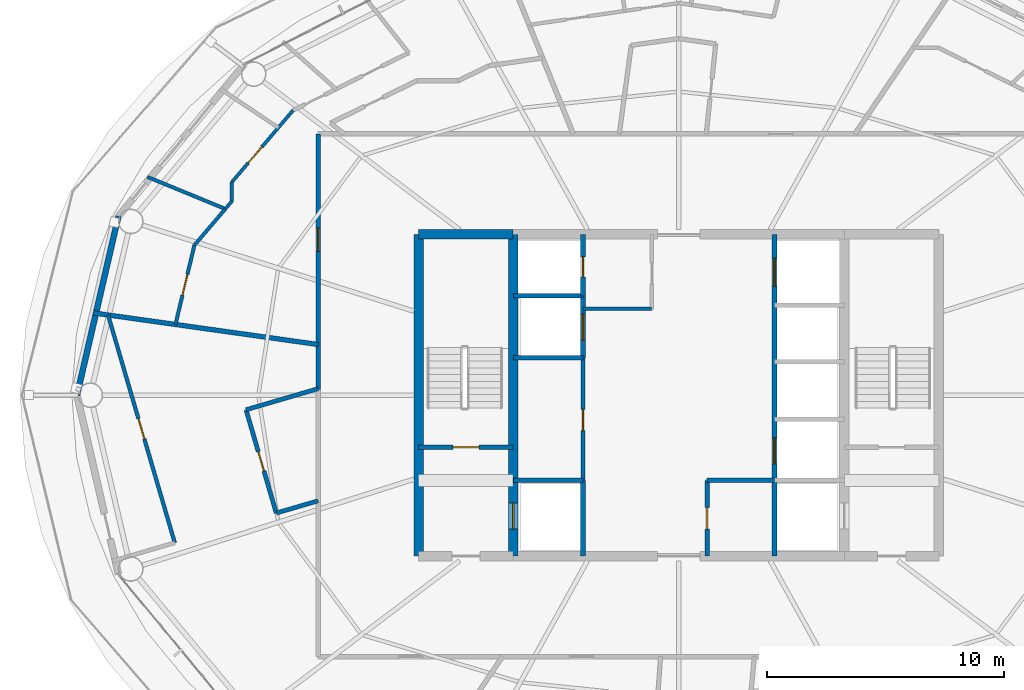
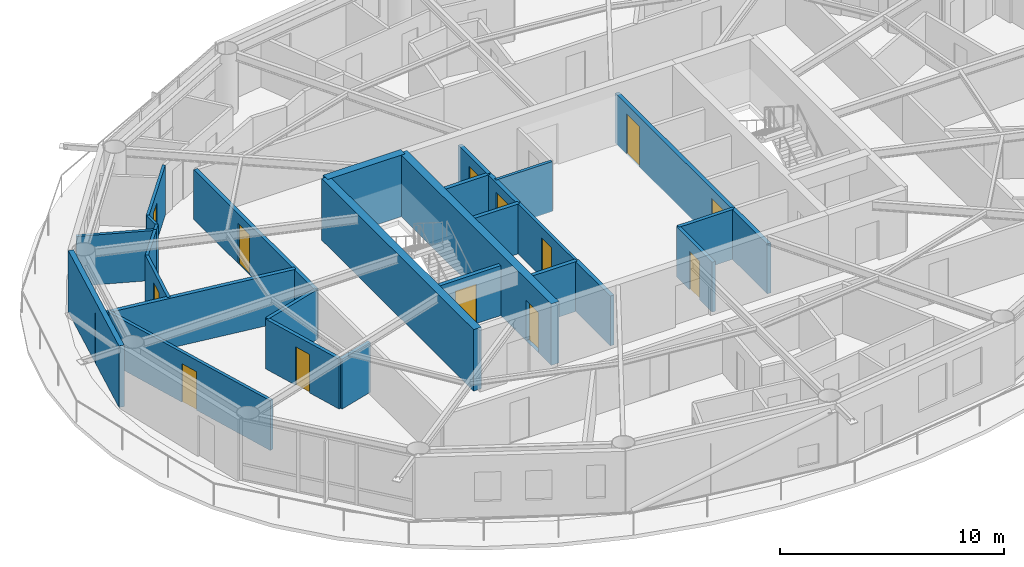
# One storey, part 16 of 23: 29 walls, 13 doors, 13 openings.
"""IFC4 building model written with IfcOpenShell, lengths in metres."""

from ifc_helpers import new_model, si_unit, direction, frame, frame_2d, origin, place, context, subcontext, project, spatial, rectangle, extrude, material, layer, layer_set, type_object, element, fill, save


model = new_model("IFC4")

# Units and contexts
model_context = context("Model", 3, precision=1e-05, world=origin(), true_north=direction((0.0, 1.0)))
body_context = subcontext(model_context, "Body", "Model", "MODEL_VIEW")
ifc_project = project(units=[si_unit("LENGTHUNIT", "METRE"), si_unit("AREAUNIT", "SQUARE_METRE"), si_unit("VOLUMEUNIT", "CUBIC_METRE"), si_unit("PLANEANGLEUNIT", "RADIAN"), si_unit("MASSUNIT", "GRAM", prefix="KILO")], contexts=[model_context])

# Site, building, storey
site_placement = place(None, origin())
site = spatial("IfcSite", under=ifc_project, at=site_placement, CompositionType="ELEMENT")
building_placement = place(site_placement, origin())
building = spatial("IfcBuilding", under=site, at=building_placement, Name="Sarneth Arch Tower", CompositionType="ELEMENT")
storey_placement = place(building_placement, frame((0.0, 0.0, 235.199951171875)))
storey = spatial("IfcBuildingStorey", under=building, at=storey_placement, Name="L60", CompositionType="ELEMENT", Elevation=235.199951171875)

# Walls
ifc_material_1 = material(Name="Concrete C50/60", Category="concrete")
ifc_layer_1 = layer(ifc_material_1, 0.39990234375)
ifc_layer_set_1 = layer_set([ifc_layer_1], Name="Concrete C50/60")
wall_type_1 = type_object("IfcWallType", Name="WALL-CORE-400", PredefinedType="SHEAR", material=ifc_layer_set_1)
wall_1_placement = place(storey_placement, frame((37.0, 48.800048828125, 0.0), z_axis=(0.0, 0.0, 1.0), x_axis=(1.0, 0.0, 0.0)))
element("IfcWall", 1, at=wall_1_placement, inside=storey, type_object=wall_type_1, Name="L60 Core shear wall N-W", PredefinedType="SHEAR", context=body_context, shape_type="SweptSolid", body=[
    extrude(rectangle(XDim=4.0, YDim=0.39990234375, at=frame_2d((2.0, 0.0))), origin(), (0.0, 0.0, 1.0), 3.360107421875),
])
wall_2_placement = place(storey_placement, frame((37.0, 35.199951171875, 0.0), z_axis=(0.0, 0.0, 1.0), x_axis=(0.0, 1.0, 0.0)))
element("IfcWall", 2, at=wall_2_placement, inside=storey, type_object=wall_type_1, Name="L60 Core shear wall W", PredefinedType="SHEAR", context=body_context, shape_type="SweptSolid", body=[
    extrude(rectangle(XDim=13.60009765625, YDim=0.39990234375, at=frame_2d((6.800048828125, 0.0))), origin(), (0.0, 0.0, 1.0), 3.360107421875),
])

# Wall, opening, door
wall_3_placement = place(storey_placement, frame((41.0, 35.199951171875, 0.0), z_axis=(0.0, 0.0, 1.0), x_axis=(0.0, 1.0, 0.0)))
wall_3 = element("IfcWall", 3, at=wall_3_placement, inside=storey, type_object=wall_type_1, Name="L60 Core shear wall WEB-W", PredefinedType="SHEAR", context=body_context, shape_type="SweptSolid", body=[
    extrude(rectangle(XDim=13.60009765625, YDim=0.39990234375, at=frame_2d((6.800048828125, 0.0))), origin(), (0.0, 0.0, 1.0), 3.360107421875),
])
opening_1_placement = place(wall_3_placement, frame((1.14990234375, 0.0, 0.0)))
opening_1 = element("IfcOpeningElement", 4, at=opening_1_placement, cuts=wall_3, Name="Opening LD-1", PredefinedType="OPENING", context=body_context, shape_type="SweptSolid", body=[
    extrude(rectangle(XDim=1.10009765625, YDim=2.199951171875, at=frame_2d((0.550048828125, 1.10009765625))), frame((0.0, 0.2099609375, 0.0), z_axis=(0.0, -1.0, 0.0), x_axis=(1.0, 0.0, 0.0)), (0.0, 0.0, 1.0), 0.419921875),
])
ifc_material_2 = material(Name="Brushed Stainless Steel 304 lift landing door", Category="steel")
door_type_1 = type_object("IfcDoorType", Name="DR-LIFT-SLIDE-1100", OperationType="SLIDING_TO_LEFT", PredefinedType="DOOR", material=ifc_material_2)
door_1_placement = place(opening_1_placement, origin())
door_1 = element("IfcDoor", 5, at=door_1_placement, inside=storey, type_object=door_type_1, Name="L60 Firefighting lift landing door FL-1", OperationType="SLIDING_TO_LEFT", OverallHeight=2.199951171875, OverallWidth=1.10009765625, PredefinedType="DOOR", context=body_context, shape_type="SweptSolid", body=[
    extrude(rectangle(XDim=1.10009765625, YDim=2.199951171875, at=frame_2d((0.550048828125, 1.10009765625))), frame((0.0, 0.02490234375, 0.0), z_axis=(0.0, -1.0, 0.0), x_axis=(1.0, 0.0, 0.0)), (0.0, 0.0, 1.0), 0.050048828125),
])
fill(opening_1, door_1)

ifc_material_3 = material(Name="Double steel-stud corridor fire wall", Category="steel")
ifc_layer_2 = layer(ifc_material_3, 0.18994140625)
ifc_layer_set_2 = layer_set([ifc_layer_2], Name="Double steel-stud corridor fire wall")
wall_type_2 = type_object("IfcWallType", Name="WALL-CORR-190", PredefinedType="PARTITIONING", material=ifc_layer_set_2)
wall_4_placement = place(storey_placement, frame((32.75, 42.242919921875, 0.0), z_axis=(0.0, 0.0, 1.0), x_axis=(0.0, 1.0, 0.0)))
wall_4 = element("IfcWall", 6, at=wall_4_placement, inside=storey, type_object=wall_type_2, Name="L60 Interior partition W-L60-TP-007", PredefinedType="PARTITIONING", context=body_context, shape_type="SweptSolid", body=[
    extrude(rectangle(XDim=10.80712890625, YDim=0.18994140625, at=frame_2d((5.403564453125, 0.0))), origin(), (0.0, 0.0, 1.0), 2.719970703125),
])
opening_2_placement = place(wall_4_placement, frame((5.83740234375, 0.0, 0.0)))
opening_2 = element("IfcOpeningElement", 7, at=opening_2_placement, cuts=wall_4, Name="Opening FD-08", PredefinedType="OPENING", context=body_context, shape_type="SweptSolid", body=[
    extrude(rectangle(XDim=1.0, YDim=2.199951171875, at=frame_2d((0.5, 1.10009765625))), frame((0.0, 0.10498046875, 0.0), z_axis=(0.0, -1.0, 0.0), x_axis=(1.0, 0.0, 0.0)), (0.0, 0.0, 1.0), 0.2099609375),
])
ifc_material_4 = material(Name="Hardwood timber acoustic fire door", Category="wood")
door_type_2 = type_object("IfcDoorType", Name="DR-FD60-1000", OperationType="SINGLE_SWING_LEFT", PredefinedType="DOOR", material=ifc_material_4)
door_2_placement = place(opening_2_placement, origin())
door_2 = element("IfcDoor", 8, at=door_2_placement, inside=storey, type_object=door_type_2, Name="L60 Interior door DR-L60-U3-ENT", OperationType="SINGLE_SWING_LEFT", OverallHeight=2.199951171875, OverallWidth=1.0, PredefinedType="DOOR", context=body_context, shape_type="SweptSolid", body=[
    extrude(rectangle(XDim=1.0, YDim=2.199951171875, at=frame_2d((0.5, 1.10009765625))), frame((0.0, 0.02490234375, 0.0), z_axis=(0.0, -1.0, 0.0), x_axis=(1.0, 0.0, 0.0)), (0.0, 0.0, 1.0), 0.050048828125),
])
fill(opening_2, door_2)

# Wall
ifc_material_5 = material(Name="Extruded terracotta rainscreen on Concrete C40/50 backing", Category="masonry")
ifc_layer_3 = layer(ifc_material_5, 0.25)
ifc_layer_set_3 = layer_set([ifc_layer_3], Name="Extruded terracotta rainscreen on Concrete C40/50 backing")
wall_type_3 = type_object("IfcWallType", Name="WALL-EXT-SPAND-250", PredefinedType="SOLIDWALL", material=ifc_layer_set_3)
wall_5_placement = place(storey_placement, frame((24.30615234375, 49.569580078125, 0.0), z_axis=(0.0, 0.0, 1.0), x_axis=(-0.225635078214, -0.974211892495, 0.0)))
element("IfcWall", 9, at=wall_5_placement, inside=storey, type_object=wall_type_3, Name="L60 Terracotta perimeter wall 08", PredefinedType="SOLIDWALL", context=body_context, shape_type="SweptSolid", body=[
    extrude(rectangle(XDim=7.77001953125, YDim=0.25, at=frame_2d((3.885009765625, 0.0))), origin(), (0.0, 0.0, 1.0), 3.360107421875),
])

# Wall, opening, door
ifc_material_6 = material(Name="Apartment internal stud partition", Category="gypsum")
ifc_layer_4 = layer(ifc_material_6, 0.139892578125)
ifc_layer_set_4 = layer_set([ifc_layer_4], Name="Apartment internal stud partition")
wall_type_4 = type_object("IfcWallType", Name="WALL-PART-140", PredefinedType="PARTITIONING", material=ifc_layer_set_4)
wall_6_placement = place(storey_placement, frame((31.68896484375, 54.0419921875, 0.0), z_axis=(0.0, 0.0, 1.0), x_axis=(-0.648985159088, -0.760801066826, 0.0)))
wall_6 = element("IfcWall", 10, at=wall_6_placement, inside=storey, type_object=wall_type_4, Name="L60 Interior partition W-L60-TP-063", PredefinedType="PARTITIONING", context=body_context, shape_type="SweptSolid", body=[
    extrude(rectangle(XDim=3.989013671875, YDim=0.139892578125, at=frame_2d((1.99462890625, 0.0))), origin(), (0.0, 0.0, 1.0), 2.719970703125),
])
opening_3_placement = place(wall_6_placement, frame((2.023193359375, 0.0, 0.0)))
opening_3 = element("IfcOpeningElement", 11, at=opening_3_placement, cuts=wall_6, Name="Opening ID-01", PredefinedType="OPENING", context=body_context, shape_type="SweptSolid", body=[
    extrude(rectangle(XDim=0.89990234375, YDim=2.10009765625, at=frame_2d((0.449951171875, 1.050048828125))), frame((0.0, 0.079833984375, 0.0), z_axis=(0.0, -1.0, 0.0), x_axis=(1.0, 0.0, 0.0)), (0.0, 0.0, 1.0), 0.159912109375),
])
ifc_material_7 = material(Name="Engineered hardwood flush door", Category="wood")
door_type_3 = type_object("IfcDoorType", Name="DR-INT-900", OperationType="SINGLE_SWING_LEFT", PredefinedType="DOOR", material=ifc_material_7)
door_3_placement = place(opening_3_placement, origin())
door_3 = element("IfcDoor", 12, at=door_3_placement, inside=storey, type_object=door_type_3, Name="L60 Interior door DR-L60-U3-BED1", OperationType="SINGLE_SWING_LEFT", OverallHeight=2.10009765625, OverallWidth=0.89990234375, PredefinedType="DOOR", context=body_context, shape_type="SweptSolid", body=[
    extrude(rectangle(XDim=0.89990234375, YDim=2.10009765625, at=frame_2d((0.449951171875, 1.050048828125))), frame((0.0, 0.02490234375, 0.0), z_axis=(0.0, -1.0, 0.0), x_axis=(1.0, 0.0, 0.0)), (0.0, 0.0, 1.0), 0.050048828125),
])
fill(opening_3, door_3)

# Walls
wall_7_placement = place(storey_placement, frame((29.10009765625, 51.007080078125, 0.0), z_axis=(0.0, 0.0, 1.0), x_axis=(0.0, -1.0, 0.0)))
element("IfcWall", 13, at=wall_7_placement, inside=storey, type_object=wall_type_4, Name="L60 Interior partition W-L60-TP-064", PredefinedType="PARTITIONING", context=body_context, shape_type="SweptSolid", body=[
    extrude(rectangle(XDim=0.81005859375, YDim=0.139892578125, at=frame_2d((0.405029296875, 0.0))), origin(), (0.0, 0.0, 1.0), 2.719970703125),
])
wall_8_placement = place(storey_placement, frame((29.10009765625, 50.197021484375, 0.0), z_axis=(0.0, 0.0, 1.0), x_axis=(-0.649360360175, -0.760480849617, 0.0)))
element("IfcWall", 14, at=wall_8_placement, inside=storey, type_object=wall_type_4, Name="L60 Interior partition W-L60-TP-065", PredefinedType="PARTITIONING", context=body_context, shape_type="SweptSolid", body=[
    extrude(rectangle(XDim=0.421875, YDim=0.139892578125, at=frame_2d((0.2109375, 0.0))), origin(), (0.0, 0.0, 1.0), 2.719970703125),
])

# Wall, opening, door
ifc_material_8 = material(Name="Acoustic gypsum stud partition", Category="gypsum")
ifc_layer_5 = layer(ifc_material_8, 0.14990234375)
ifc_layer_set_5 = layer_set([ifc_layer_5], Name="Acoustic gypsum stud partition")
wall_type_5 = type_object("IfcWallType", Name="WALL-PART-150", PredefinedType="PARTITIONING", material=ifc_layer_set_5)
wall_9_placement = place(storey_placement, frame((43.949951171875, 38.39990234375, 0.0), z_axis=(0.0, 0.0, 1.0), x_axis=(0.0, 1.0, 0.0)))
wall_9 = element("IfcWall", 15, at=wall_9_placement, inside=storey, type_object=wall_type_5, Name="L60 Interior partition W-L60-RECPL-E", PredefinedType="PARTITIONING", context=body_context, shape_type="SweptSolid", body=[
    extrude(rectangle(XDim=5.18017578125, YDim=0.14990234375, at=frame_2d((2.590087890625, 0.0))), origin(), (0.0, 0.0, 1.0), 2.719970703125),
])
opening_4_placement = place(wall_9_placement, frame((2.10009765625, 0.0, 0.0)))
opening_4 = element("IfcOpeningElement", 16, at=opening_4_placement, cuts=wall_9, Name="Opening FD-10", PredefinedType="OPENING", context=body_context, shape_type="SweptSolid", body=[
    extrude(rectangle(XDim=0.89990234375, YDim=2.14990234375, at=frame_2d((0.449951171875, 1.074951171875))), frame((0.0, 0.0849609375, 0.0), z_axis=(0.0, -1.0, 0.0), x_axis=(1.0, 0.0, 0.0)), (0.0, 0.0, 1.0), 0.169921875),
])
ifc_material_9 = material(Name="Galvanised Steel S275 riser/service fire door", Category="steel")
door_type_4 = type_object("IfcDoorType", Name="DR-FD60-900", OperationType="SINGLE_SWING_LEFT", PredefinedType="DOOR", material=ifc_material_9)
door_4_placement = place(opening_4_placement, origin())
door_4 = element("IfcDoor", 17, at=door_4_placement, inside=storey, type_object=door_type_4, Name="L60 Interior door DR-L60-RECPL1", OperationType="SINGLE_SWING_LEFT", OverallHeight=2.14990234375, OverallWidth=0.89990234375, PredefinedType="DOOR", context=body_context, shape_type="SweptSolid", body=[
    extrude(rectangle(XDim=0.89990234375, YDim=2.14990234375, at=frame_2d((0.449951171875, 1.074951171875))), frame((0.0, 0.02490234375, 0.0), z_axis=(0.0, -1.0, 0.0), x_axis=(1.0, 0.0, 0.0)), (0.0, 0.0, 1.0), 0.050048828125),
])
fill(opening_4, door_4)

# Walls
wall_10_placement = place(storey_placement, frame((43.949951171875, 45.64990234375, 0.0), z_axis=(0.0, 0.0, 1.0), x_axis=(1.0, 0.0, 0.0)))
element("IfcWall", 18, at=wall_10_placement, inside=storey, type_object=wall_type_5, Name="L60 Interior partition W-L60-CSUP1-S", PredefinedType="PARTITIONING", context=body_context, shape_type="SweptSolid", body=[
    extrude(rectangle(XDim=2.900146484375, YDim=0.14990234375, at=frame_2d((1.4501953125, 0.0))), origin(), (0.0, 0.0, 1.0), 2.719970703125),
])
wall_11_placement = place(storey_placement, frame((25.531494140625, 51.2294921875, 0.0), z_axis=(0.0, 0.0, 1.0), x_axis=(0.925009924445, -0.37994294266, 0.0)))
element("IfcWall", 19, at=wall_11_placement, inside=storey, type_object=wall_type_5, Name="L60 Interior partition W-L60-TP-071", PredefinedType="PARTITIONING", context=body_context, shape_type="SweptSolid", body=[
    extrude(rectangle(XDim=3.561767578125, YDim=0.14990234375, at=frame_2d((1.78076171875, 0.0))), origin(), (0.0, 0.0, 1.0), 2.719970703125),
])

# Wall, opening, door
wall_12_placement = place(storey_placement, frame((27.51904296875, 48.344970703125, 0.0), z_axis=(0.0, 0.0, 1.0), x_axis=(-0.232293676314, -0.97264569497, 0.0)))
wall_12 = element("IfcWall", 20, at=wall_12_placement, inside=storey, type_object=wall_type_5, Name="L60 Interior partition W-L60-TP-067", PredefinedType="PARTITIONING", context=body_context, shape_type="SweptSolid", body=[
    extrude(rectangle(XDim=3.4482421875, YDim=0.14990234375, at=frame_2d((1.72412109375, 0.0))), origin(), (0.0, 0.0, 1.0), 2.719970703125),
])
opening_5_placement = place(wall_12_placement, frame((1.274169921875, 0.0, 0.0)))
opening_5 = element("IfcOpeningElement", 21, at=opening_5_placement, cuts=wall_12, Name="Opening ID-01", PredefinedType="OPENING", context=body_context, shape_type="SweptSolid", body=[
    extrude(rectangle(XDim=0.89990234375, YDim=2.10009765625, at=frame_2d((0.449951171875, 1.050048828125))), frame((0.0, 0.0849609375, 0.0), z_axis=(0.0, -1.0, 0.0), x_axis=(1.0, 0.0, 0.0)), (0.0, 0.0, 1.0), 0.169921875),
])
door_5_placement = place(opening_5_placement, origin())
door_5 = element("IfcDoor", 22, at=door_5_placement, inside=storey, type_object=door_type_3, Name="L60 Interior door DR-L60-U3-BED2", OperationType="SINGLE_SWING_RIGHT", OverallHeight=2.10009765625, OverallWidth=0.89990234375, PredefinedType="DOOR", context=body_context, shape_type="SweptSolid", body=[
    extrude(rectangle(XDim=0.89990234375, YDim=2.10009765625, at=frame_2d((0.449951171875, 1.050048828125))), frame((0.0, 0.02490234375, 0.0), z_axis=(0.0, -1.0, 0.0), x_axis=(1.0, 0.0, 0.0)), (0.0, 0.0, 1.0), 0.050048828125),
])
fill(opening_5, door_5)

# Wall
wall_13_placement = place(storey_placement, frame((28.826171875, 49.876220703125, 0.0), z_axis=(0.0, 0.0, 1.0), x_axis=(-0.649252114502, -0.760573265251, 0.0)))
element("IfcWall", 23, at=wall_13_placement, inside=storey, type_object=wall_type_5, Name="L60 Interior partition W-L60-TP-066", PredefinedType="PARTITIONING", context=body_context, shape_type="SweptSolid", body=[
    extrude(rectangle(XDim=2.01318359375, YDim=0.14990234375, at=frame_2d((1.006591796875, 0.0))), origin(), (0.0, 0.0, 1.0), 2.719970703125),
])

# Wall, opening, door
ifc_material_10 = material(Name="Kitchen wet service chase wall", Category="gypsum")
ifc_layer_6 = layer(ifc_material_10, 0.159912109375)
ifc_layer_set_6 = layer_set([ifc_layer_6], Name="Kitchen wet service chase wall")
wall_type_6 = type_object("IfcWallType", Name="WALL-PLUMB-160", PredefinedType="PLUMBINGWALL", material=ifc_layer_set_6)
wall_14_placement = place(storey_placement, frame((23.867919921875, 45.3916015625, 0.0), z_axis=(0.0, 0.0, 1.0), x_axis=(0.281018983641, -0.959702209455, 0.0)))
wall_14 = element("IfcWall", 24, at=wall_14_placement, inside=storey, type_object=wall_type_6, Name="L60 Interior partition W-L60-TP-077", PredefinedType="PLUMBINGWALL", context=body_context, shape_type="SweptSolid", body=[
    extrude(rectangle(XDim=10.0361328125, YDim=0.159912109375, at=frame_2d((5.01806640625, 0.0))), origin(), (0.0, 0.0, 1.0), 2.719970703125),
])
opening_6_placement = place(wall_14_placement, frame((4.568115234375, 0.0, 0.0)))
opening_6 = element("IfcOpeningElement", 25, at=opening_6_placement, cuts=wall_14, Name="Opening ID-01", PredefinedType="OPENING", context=body_context, shape_type="SweptSolid", body=[
    extrude(rectangle(XDim=0.89990234375, YDim=2.10009765625, at=frame_2d((0.449951171875, 1.050048828125))), frame((0.0, 0.08984375, 0.0), z_axis=(0.0, -1.0, 0.0), x_axis=(1.0, 0.0, 0.0)), (0.0, 0.0, 1.0), 0.179931640625),
])
door_6_placement = place(opening_6_placement, origin())
door_6 = element("IfcDoor", 26, at=door_6_placement, inside=storey, type_object=door_type_3, Name="L60 Interior door DR-L60-U4-KIT", OperationType="SINGLE_SWING_LEFT", OverallHeight=2.10009765625, OverallWidth=0.89990234375, PredefinedType="DOOR", context=body_context, shape_type="SweptSolid", body=[
    extrude(rectangle(XDim=0.89990234375, YDim=2.10009765625, at=frame_2d((0.449951171875, 1.050048828125))), frame((0.0, 0.02490234375, 0.0), z_axis=(0.0, -1.0, 0.0), x_axis=(1.0, 0.0, 0.0)), (0.0, 0.0, 1.0), 0.050048828125),
])
fill(opening_6, door_6)

# Wall
ifc_material_11 = material(Name="Moisture-resistant plumbing chase wall", Category="gypsum")
ifc_layer_7 = layer(ifc_material_11, 0.179931640625)
ifc_layer_set_7 = layer_set([ifc_layer_7], Name="Moisture-resistant plumbing chase wall")
wall_type_7 = type_object("IfcWallType", Name="WALL-PLUMB-180", PredefinedType="PLUMBINGWALL", material=ifc_layer_set_7)
wall_15_placement = place(storey_placement, frame((49.199951171875, 38.39990234375, 0.0), z_axis=(0.0, 0.0, 1.0), x_axis=(1.0, 0.0, 0.0)))
element("IfcWall", 27, at=wall_15_placement, inside=storey, type_object=wall_type_7, Name="L60 Interior partition W-L60-AWC-N", PredefinedType="PLUMBINGWALL", context=body_context, shape_type="SweptSolid", body=[
    extrude(rectangle(XDim=2.85009765625, YDim=0.179931640625, at=frame_2d((1.425048828125, 0.0))), origin(), (0.0, 0.0, 1.0), 2.719970703125),
])

# Wall, opening, door
wall_16_placement = place(storey_placement, frame((49.199951171875, 35.199951171875, 0.0), z_axis=(0.0, 0.0, 1.0), x_axis=(0.0, 1.0, 0.0)))
wall_16 = element("IfcWall", 28, at=wall_16_placement, inside=storey, type_object=wall_type_7, Name="L60 Interior partition W-L60-AWC-W", PredefinedType="PLUMBINGWALL", context=body_context, shape_type="SweptSolid", body=[
    extrude(rectangle(XDim=3.199951171875, YDim=0.179931640625, at=frame_2d((1.60009765625, 0.0))), origin(), (0.0, 0.0, 1.0), 2.719970703125),
])
opening_7_placement = place(wall_16_placement, frame((1.14990234375, 0.0, 0.0)))
opening_7 = element("IfcOpeningElement", 29, at=opening_7_placement, cuts=wall_16, Name="Opening ID-01", PredefinedType="OPENING", context=body_context, shape_type="SweptSolid", body=[
    extrude(rectangle(XDim=0.89990234375, YDim=2.10009765625, at=frame_2d((0.449951171875, 1.050048828125))), frame((0.0, 0.099853515625, 0.0), z_axis=(0.0, -1.0, 0.0), x_axis=(1.0, 0.0, 0.0)), (0.0, 0.0, 1.0), 0.199951171875),
])
door_7_placement = place(opening_7_placement, origin())
door_7 = element("IfcDoor", 30, at=door_7_placement, inside=storey, type_object=door_type_3, Name="L60 Interior door DR-L60-AWC", OperationType="SINGLE_SWING_RIGHT", OverallHeight=2.10009765625, OverallWidth=0.89990234375, PredefinedType="DOOR", context=body_context, shape_type="SweptSolid", body=[
    extrude(rectangle(XDim=0.89990234375, YDim=2.10009765625, at=frame_2d((0.449951171875, 1.050048828125))), frame((0.0, 0.02490234375, 0.0), z_axis=(0.0, -1.0, 0.0), x_axis=(1.0, 0.0, 0.0)), (0.0, 0.0, 1.0), 0.050048828125),
])
fill(opening_7, door_7)

wall_17_placement = place(storey_placement, frame((30.98046875, 37.0166015625, 0.0), z_axis=(0.0, 0.0, 1.0), x_axis=(-0.281021691617, 0.959701416504, 0.0)))
wall_17 = element("IfcWall", 31, at=wall_17_placement, inside=storey, type_object=wall_type_7, Name="L60 Interior partition W-L60-TP-075", PredefinedType="PLUMBINGWALL", context=body_context, shape_type="SweptSolid", body=[
    extrude(rectangle(XDim=4.550537109375, YDim=0.179931640625, at=frame_2d((2.275390625, 0.0))), origin(), (0.0, 0.0, 1.0), 2.719970703125),
])
opening_8_placement = place(wall_17_placement, frame((1.85009765625, 0.0, 0.0)))
opening_8 = element("IfcOpeningElement", 32, at=opening_8_placement, cuts=wall_17, Name="Opening ID-02", PredefinedType="OPENING", context=body_context, shape_type="SweptSolid", body=[
    extrude(rectangle(XDim=0.85009765625, YDim=2.10009765625, at=frame_2d((0.425048828125, 1.050048828125))), frame((0.0, 0.099853515625, 0.0), z_axis=(0.0, -1.0, 0.0), x_axis=(1.0, 0.0, 0.0)), (0.0, 0.0, 1.0), 0.199951171875),
])
ifc_material_12 = material(Name="Moisture-resistant bathroom timber door", Category="wood")
door_type_5 = type_object("IfcDoorType", Name="DR-INT-850", OperationType="SINGLE_SWING_RIGHT", PredefinedType="DOOR", material=ifc_material_12)
door_8_placement = place(opening_8_placement, origin())
door_8 = element("IfcDoor", 33, at=door_8_placement, inside=storey, type_object=door_type_5, Name="L60 Interior door DR-L60-U4-BATH", OperationType="SINGLE_SWING_RIGHT", OverallHeight=2.10009765625, OverallWidth=0.85009765625, PredefinedType="DOOR", context=body_context, shape_type="SweptSolid", body=[
    extrude(rectangle(XDim=0.85009765625, YDim=2.10009765625, at=frame_2d((0.425048828125, 1.050048828125))), frame((0.0, 0.02490234375, 0.0), z_axis=(0.0, -1.0, 0.0), x_axis=(1.0, 0.0, 0.0)), (0.0, 0.0, 1.0), 0.050048828125),
])
fill(opening_8, door_8)

# Walls
wall_18_placement = place(storey_placement, frame((29.70166015625, 41.3837890625, 0.0), z_axis=(0.0, 0.0, 1.0), x_axis=(0.959705055225, 0.281009264929, 0.0)))
element("IfcWall", 34, at=wall_18_placement, inside=storey, type_object=wall_type_7, Name="L60 Interior partition W-L60-TP-076", PredefinedType="PLUMBINGWALL", context=body_context, shape_type="SweptSolid", body=[
    extrude(rectangle(XDim=3.17626953125, YDim=0.179931640625, at=frame_2d((1.588134765625, 0.0))), origin(), (0.0, 0.0, 1.0), 2.719970703125),
])
wall_19_placement = place(storey_placement, frame((32.75, 37.534912109375, 0.0), z_axis=(0.0, 0.0, 1.0), x_axis=(-0.959679055102, -0.281098045527, 0.0)))
element("IfcWall", 35, at=wall_19_placement, inside=storey, type_object=wall_type_7, Name="L60 Interior partition W-L60-TP-074", PredefinedType="PLUMBINGWALL", context=body_context, shape_type="SweptSolid", body=[
    extrude(rectangle(XDim=1.843994140625, YDim=0.179931640625, at=frame_2d((0.921875, 0.0))), origin(), (0.0, 0.0, 1.0), 2.719970703125),
])

# Wall, opening, door
ifc_material_13 = material(Name="Aerated concrete blockwork C25/30", Category="masonry")
ifc_layer_8 = layer(ifc_material_13, 0.199951171875)
ifc_layer_set_8 = layer_set([ifc_layer_8], Name="Aerated concrete blockwork C25/30")
wall_type_8 = type_object("IfcWallType", Name="WALL-SHAFT-200", PredefinedType="SOLIDWALL", material=ifc_layer_set_8)
wall_20_placement = place(storey_placement, frame((37.0, 39.800048828125, 0.0), z_axis=(0.0, 0.0, 1.0), x_axis=(1.0, 0.0, 0.0)))
wall_20 = element("IfcWall", 36, at=wall_20_placement, inside=storey, type_object=wall_type_8, Name="L60 Interior partition W-L60-ST1-S", PredefinedType="SOLIDWALL", context=body_context, shape_type="SweptSolid", body=[
    extrude(rectangle(XDim=4.0, YDim=0.199951171875, at=frame_2d((2.0, 0.0))), origin(), (0.0, 0.0, 1.0), 2.719970703125),
])
opening_9_placement = place(wall_20_placement, frame((1.449951171875, 0.0, 0.0)))
opening_9 = element("IfcOpeningElement", 37, at=opening_9_placement, cuts=wall_20, Name="Opening FD-03", PredefinedType="OPENING", context=body_context, shape_type="SweptSolid", body=[
    extrude(rectangle(XDim=1.10009765625, YDim=2.14990234375, at=frame_2d((0.550048828125, 1.074951171875))), frame((0.0, 0.10986328125, 0.0), z_axis=(0.0, -1.0, 0.0), x_axis=(1.0, 0.0, 0.0)), (0.0, 0.0, 1.0), 0.219970703125),
])
ifc_material_14 = material(Name="Galvanised Steel S275 fire door set", Category="steel")
door_type_6 = type_object("IfcDoorType", Name="DR-FD90-1100", OperationType="SINGLE_SWING_LEFT", PredefinedType="DOOR", material=ifc_material_14)
door_9_placement = place(opening_9_placement, origin())
door_9 = element("IfcDoor", 38, at=door_9_placement, inside=storey, type_object=door_type_6, Name="L60 Interior door DR-L60-ST1", OperationType="SINGLE_SWING_LEFT", OverallHeight=2.14990234375, OverallWidth=1.10009765625, PredefinedType="DOOR", context=body_context, shape_type="SweptSolid", body=[
    extrude(rectangle(XDim=1.10009765625, YDim=2.14990234375, at=frame_2d((0.550048828125, 1.074951171875))), frame((0.0, 0.02490234375, 0.0), z_axis=(0.0, -1.0, 0.0), x_axis=(1.0, 0.0, 0.0)), (0.0, 0.0, 1.0), 0.050048828125),
])
fill(opening_9, door_9)

# Walls
wall_21_placement = place(storey_placement, frame((43.949951171875, 35.199951171875, 0.0), z_axis=(0.0, 0.0, 1.0), x_axis=(0.0, 1.0, 0.0)))
element("IfcWall", 39, at=wall_21_placement, inside=storey, type_object=wall_type_8, Name="L60 Interior partition W-L60-FL1-E", PredefinedType="SOLIDWALL", context=body_context, shape_type="SweptSolid", body=[
    extrude(rectangle(XDim=3.199951171875, YDim=0.199951171875, at=frame_2d((1.60009765625, 0.0))), origin(), (0.0, 0.0, 1.0), 2.719970703125),
])
wall_22_placement = place(storey_placement, frame((41.0, 38.39990234375, 0.0), z_axis=(0.0, 0.0, 1.0), x_axis=(1.0, 0.0, 0.0)))
element("IfcWall", 40, at=wall_22_placement, inside=storey, type_object=wall_type_8, Name="L60 Interior partition W-L60-FL1-N", PredefinedType="SOLIDWALL", context=body_context, shape_type="SweptSolid", body=[
    extrude(rectangle(XDim=2.949951171875, YDim=0.199951171875, at=frame_2d((1.47509765625, 0.0))), origin(), (0.0, 0.0, 1.0), 2.719970703125),
])
wall_23_placement = place(storey_placement, frame((52.050048828125, 35.199951171875, 0.0), z_axis=(0.0, 0.0, 1.0), x_axis=(0.0, 1.0, 0.0)))
element("IfcWall", 41, at=wall_23_placement, inside=storey, type_object=wall_type_8, Name="L60 Interior partition W-L60-FL2-W", PredefinedType="SOLIDWALL", context=body_context, shape_type="SweptSolid", body=[
    extrude(rectangle(XDim=3.199951171875, YDim=0.199951171875, at=frame_2d((1.60009765625, 0.0))), origin(), (0.0, 0.0, 1.0), 2.719970703125),
])
wall_24_placement = place(storey_placement, frame((41.0, 46.199951171875, 0.0), z_axis=(0.0, 0.0, 1.0), x_axis=(1.0, 0.0, 0.0)))
element("IfcWall", 42, at=wall_24_placement, inside=storey, type_object=wall_type_8, Name="L60 Interior partition W-L60-RISER-S", PredefinedType="SOLIDWALL", context=body_context, shape_type="SweptSolid", body=[
    extrude(rectangle(XDim=2.949951171875, YDim=0.199951171875, at=frame_2d((1.47509765625, 0.0))), origin(), (0.0, 0.0, 1.0), 2.719970703125),
])

# Wall, opening, door
wall_25_placement = place(storey_placement, frame((43.949951171875, 46.199951171875, 0.0), z_axis=(0.0, 0.0, 1.0), x_axis=(0.0, 1.0, 0.0)))
wall_25 = element("IfcWall", 43, at=wall_25_placement, inside=storey, type_object=wall_type_8, Name="L60 Interior partition W-L60-RISER-E", PredefinedType="SOLIDWALL", context=body_context, shape_type="SweptSolid", body=[
    extrude(rectangle(XDim=2.60009765625, YDim=0.199951171875, at=frame_2d((1.300048828125, 0.0))), origin(), (0.0, 0.0, 1.0), 2.719970703125),
])
opening_10_placement = place(wall_25_placement, frame((0.800048828125, 0.0, 0.0)))
opening_10 = element("IfcOpeningElement", 44, at=opening_10_placement, cuts=wall_25, Name="Opening FD-11", PredefinedType="OPENING", context=body_context, shape_type="SweptSolid", body=[
    extrude(rectangle(XDim=0.85009765625, YDim=2.14990234375, at=frame_2d((0.425048828125, 1.074951171875))), frame((0.0, 0.10986328125, 0.0), z_axis=(0.0, -1.0, 0.0), x_axis=(1.0, 0.0, 0.0)), (0.0, 0.0, 1.0), 0.219970703125),
])
ifc_material_15 = material(Name="Galvanised Steel S275 closet fire door", Category="steel")
door_type_7 = type_object("IfcDoorType", Name="DR-FD60-850", OperationType="SINGLE_SWING_LEFT", PredefinedType="DOOR", material=ifc_material_15)
door_10_placement = place(opening_10_placement, origin())
door_10 = element("IfcDoor", 45, at=door_10_placement, inside=storey, type_object=door_type_7, Name="L60 Lift landing door DR-L60-RISER", OperationType="SINGLE_SWING_LEFT", OverallHeight=2.14990234375, OverallWidth=0.85009765625, PredefinedType="DOOR", context=body_context, shape_type="SweptSolid", body=[
    extrude(rectangle(XDim=0.85009765625, YDim=2.14990234375, at=frame_2d((0.425048828125, 1.074951171875))), frame((0.0, 0.02490234375, 0.0), z_axis=(0.0, -1.0, 0.0), x_axis=(1.0, 0.0, 0.0)), (0.0, 0.0, 1.0), 0.050048828125),
])
fill(opening_10, door_10)

# Wall
wall_26_placement = place(storey_placement, frame((41.0, 43.580078125, 0.0), z_axis=(0.0, 0.0, 1.0), x_axis=(1.0, 0.0, 0.0)))
element("IfcWall", 46, at=wall_26_placement, inside=storey, type_object=wall_type_8, Name="L60 Interior partition W-L60-PM1-S", PredefinedType="SOLIDWALL", context=body_context, shape_type="SweptSolid", body=[
    extrude(rectangle(XDim=2.949951171875, YDim=0.199951171875, at=frame_2d((1.47509765625, 0.0))), origin(), (0.0, 0.0, 1.0), 2.719970703125),
])

# Wall, opening, door
wall_27_placement = place(storey_placement, frame((43.949951171875, 43.580078125, 0.0), z_axis=(0.0, 0.0, 1.0), x_axis=(0.0, 1.0, 0.0)))
wall_27 = element("IfcWall", 47, at=wall_27_placement, inside=storey, type_object=wall_type_8, Name="L60 Interior partition W-L60-PM1-FRONT", PredefinedType="SOLIDWALL", context=body_context, shape_type="SweptSolid", body=[
    extrude(rectangle(XDim=2.619873046875, YDim=0.199951171875, at=frame_2d((1.31005859375, 0.0))), origin(), (0.0, 0.0, 1.0), 2.719970703125),
])
opening_11_placement = place(wall_27_placement, frame((0.75, 0.0, 0.0)))
opening_11 = element("IfcOpeningElement", 48, at=opening_11_placement, cuts=wall_27, Name="Opening LD-1", PredefinedType="OPENING", context=body_context, shape_type="SweptSolid", body=[
    extrude(rectangle(XDim=1.10009765625, YDim=2.199951171875, at=frame_2d((0.550048828125, 1.10009765625))), frame((0.0, 0.10986328125, 0.0), z_axis=(0.0, -1.0, 0.0), x_axis=(1.0, 0.0, 0.0)), (0.0, 0.0, 1.0), 0.219970703125),
])
door_11_placement = place(opening_11_placement, origin())
door_11 = element("IfcDoor", 49, at=door_11_placement, inside=storey, type_object=door_type_1, Name="L60 Lift landing door DR-L60-LD-PM1", OperationType="SLIDING_TO_LEFT", OverallHeight=2.199951171875, OverallWidth=1.10009765625, PredefinedType="DOOR", context=body_context, shape_type="SweptSolid", body=[
    extrude(rectangle(XDim=1.10009765625, YDim=2.199951171875, at=frame_2d((0.550048828125, 1.10009765625))), frame((0.0, 0.02490234375, 0.0), z_axis=(0.0, -1.0, 0.0), x_axis=(1.0, 0.0, 0.0)), (0.0, 0.0, 1.0), 0.050048828125),
])
fill(opening_11, door_11)

# Wall, openings, doors
wall_28_placement = place(storey_placement, frame((52.050048828125, 38.39990234375, 0.0), z_axis=(0.0, 0.0, 1.0), x_axis=(0.0, 1.0, 0.0)))
wall_28 = element("IfcWall", 50, at=wall_28_placement, inside=storey, type_object=wall_type_8, Name="L60 Interior partition W-L60-EASTBANK-FRONT", PredefinedType="SOLIDWALL", context=body_context, shape_type="SweptSolid", body=[
    extrude(rectangle(XDim=10.400146484375, YDim=0.199951171875, at=frame_2d((5.2001953125, 0.0))), origin(), (0.0, 0.0, 1.0), 2.719970703125),
])
opening_12_placement = place(wall_28_placement, frame((0.699951171875, 0.0, 0.0)))
opening_12 = element("IfcOpeningElement", 51, at=opening_12_placement, cuts=wall_28, Name="Opening LD-1", PredefinedType="OPENING", context=body_context, shape_type="SweptSolid", body=[
    extrude(rectangle(XDim=1.10009765625, YDim=2.199951171875, at=frame_2d((0.550048828125, 1.10009765625))), frame((0.0, 0.10986328125, 0.0), z_axis=(0.0, -1.0, 0.0), x_axis=(1.0, 0.0, 0.0)), (0.0, 0.0, 1.0), 0.219970703125),
])
opening_13_placement = place(wall_28_placement, frame((8.199951171875, 0.0, 0.0)))
opening_13 = element("IfcOpeningElement", 52, at=opening_13_placement, cuts=wall_28, Name="Opening LD-2", PredefinedType="OPENING", context=body_context, shape_type="SweptSolid", body=[
    extrude(rectangle(XDim=1.199951171875, YDim=2.199951171875, at=frame_2d((0.60009765625, 1.10009765625))), frame((0.0, 0.10986328125, 0.0), z_axis=(0.0, -1.0, 0.0), x_axis=(1.0, 0.0, 0.0)), (0.0, 0.0, 1.0), 0.219970703125),
])
door_12_placement = place(opening_12_placement, origin())
door_12 = element("IfcDoor", 53, at=door_12_placement, inside=storey, type_object=door_type_1, Name="L60 Lift landing door DR-L60-LD-PM2", OperationType="SLIDING_TO_LEFT", OverallHeight=2.199951171875, OverallWidth=1.10009765625, PredefinedType="DOOR", context=body_context, shape_type="SweptSolid", body=[
    extrude(rectangle(XDim=1.10009765625, YDim=2.199951171875, at=frame_2d((0.550048828125, 1.10009765625))), frame((0.0, 0.02490234375, 0.0), z_axis=(0.0, -1.0, 0.0), x_axis=(1.0, 0.0, 0.0)), (0.0, 0.0, 1.0), 0.050048828125),
])
fill(opening_12, door_12)
ifc_material_16 = material(Name="Brushed Stainless Steel 304 service lift door", Category="steel")
door_type_8 = type_object("IfcDoorType", Name="DR-LIFT-SLIDE-1200", OperationType="SLIDING_TO_RIGHT", PredefinedType="DOOR", material=ifc_material_16)
door_13_placement = place(opening_13_placement, origin())
door_13 = element("IfcDoor", 54, at=door_13_placement, inside=storey, type_object=door_type_8, Name="L60 Lift landing door DR-L60-LD-SL1", OperationType="SLIDING_TO_RIGHT", OverallHeight=2.199951171875, OverallWidth=1.199951171875, PredefinedType="DOOR", context=body_context, shape_type="SweptSolid", body=[
    extrude(rectangle(XDim=1.199951171875, YDim=2.199951171875, at=frame_2d((0.60009765625, 1.10009765625))), frame((0.0, 0.02490234375, 0.0), z_axis=(0.0, -1.0, 0.0), x_axis=(1.0, 0.0, 0.0)), (0.0, 0.0, 1.0), 0.050048828125),
])
fill(opening_13, door_13)

# Wall
ifc_material_17 = material(Name="Double steel-stud acoustic drywall", Category="steel")
ifc_layer_9 = layer(ifc_material_17, 0.199951171875)
ifc_layer_set_9 = layer_set([ifc_layer_9], Name="Double steel-stud acoustic drywall")
wall_type_9 = type_object("IfcWallType", Name="WALL-UNIT-200", PredefinedType="PARTITIONING", material=ifc_layer_set_9)
wall_29_placement = place(storey_placement, frame((23.236572265625, 45.480224609375, 0.0), z_axis=(0.0, 0.0, 1.0), x_axis=(0.990269661234, -0.139161769316, 0.0)))
element("IfcWall", 55, at=wall_29_placement, inside=storey, type_object=wall_type_9, Name="L60 Interior partition W-L60-TP-068", PredefinedType="PARTITIONING", context=body_context, shape_type="SweptSolid", body=[
    extrude(rectangle(XDim=9.60693359375, YDim=0.199951171875, at=frame_2d((4.803466796875, 0.0))), origin(), (0.0, 0.0, 1.0), 2.719970703125),
])

save(model, "model.ifc")
